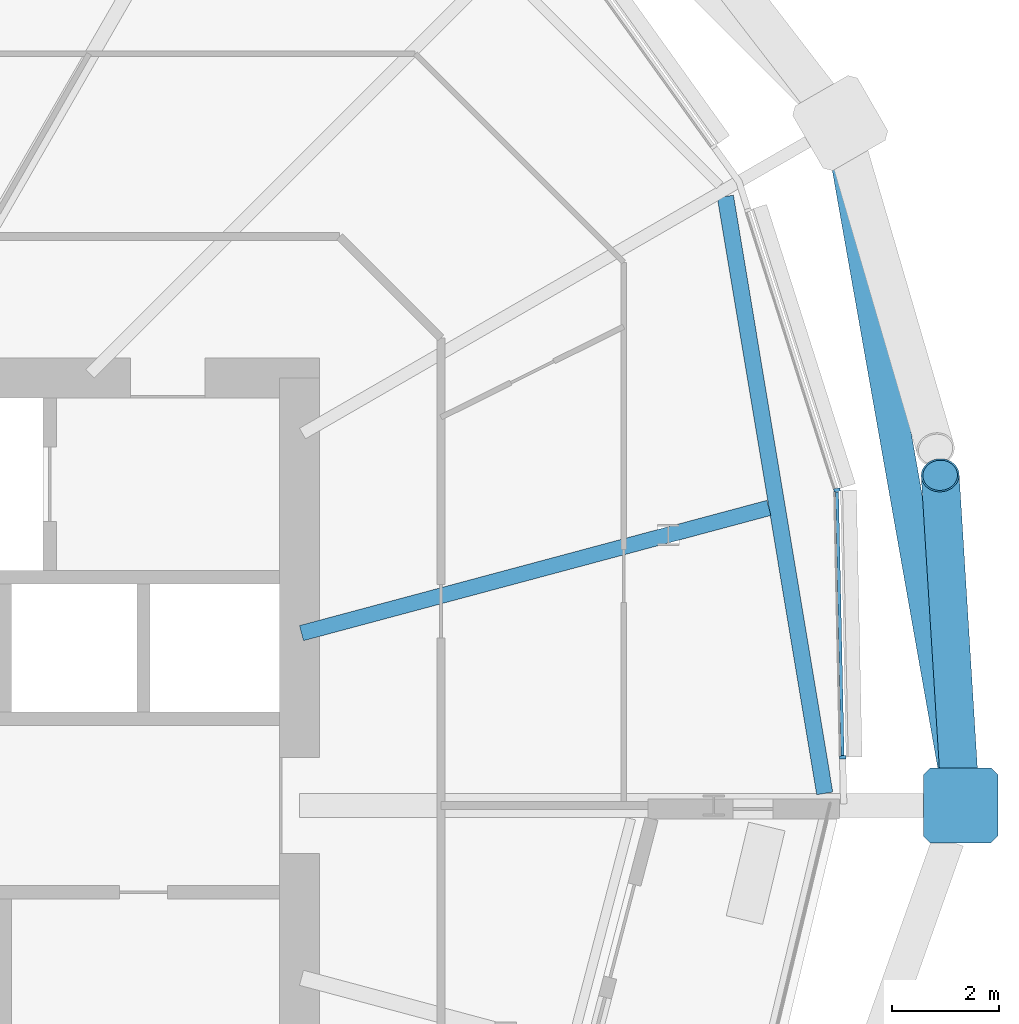
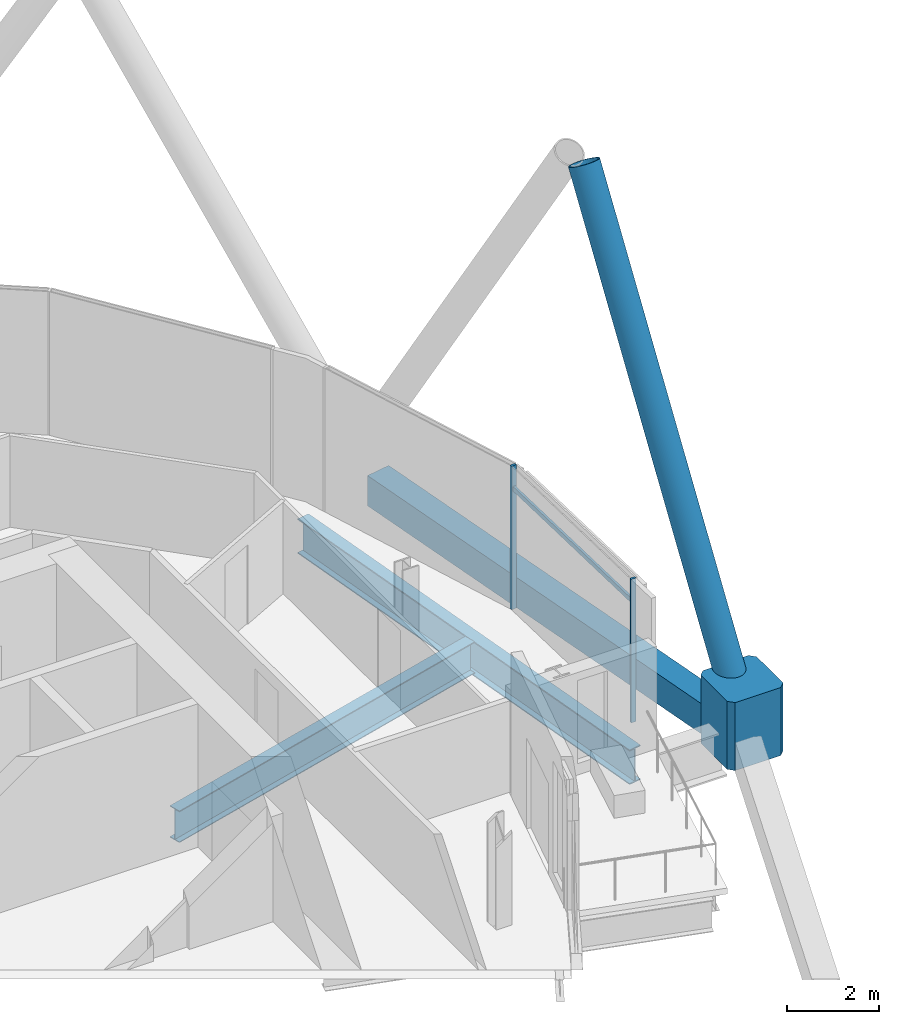
# One storey, part 17 of 38: 5 members, 3 beams, 1 element without a shape of its own.
"""IFC4 building model written with IfcOpenShell, lengths in metres."""

from ifc_helpers import new_model, si_unit, direction, frame, origin, origin_2d, place, context, subcontext, project, spatial, polyline, rectangle, hollow_rectangle, hollow_circle, i_section, outline, extrude, material, material_profile, profile_set, type_object, element, aggregate, save


model = new_model("IFC4")

# Units and contexts
model_context = context("Model", 3, precision=1e-05, world=origin(), true_north=direction((0.0, 1.0)))
body_context = subcontext(model_context, "Body", "Model", "MODEL_VIEW")
ifc_project = project(units=[si_unit("LENGTHUNIT", "METRE"), si_unit("AREAUNIT", "SQUARE_METRE"), si_unit("VOLUMEUNIT", "CUBIC_METRE"), si_unit("PLANEANGLEUNIT", "RADIAN"), si_unit("MASSUNIT", "GRAM", prefix="KILO")], contexts=[model_context])

# Site, building, storey
site_placement = place(None, origin())
site = spatial("IfcSite", under=ifc_project, at=site_placement, CompositionType="ELEMENT")
building_placement = place(site_placement, origin())
building = spatial("IfcBuilding", under=site, at=building_placement, Name="Rimbun Link Towers", CompositionType="ELEMENT")
storey_placement = place(building_placement, frame((0.0, 0.0, 93.0)))
storey = spatial("IfcBuildingStorey", under=building, at=storey_placement, Name="L22", CompositionType="ELEMENT", Elevation=93.0)

# Curtain wall, members
ifc_material_1 = material(Name="Aluminium 6063-T6 and low-iron glass", Category="aluminium")
curtain_wall_type = type_object("IfcCurtainWallType", Name="CW1-Z2 unitised vision wall (zone 2)", PredefinedType="NOTDEFINED", material=ifc_material_1)
curtain_wall_placement = place(storey_placement, origin())
curtain_wall = element("IfcCurtainWall", 1, at=curtain_wall_placement, inside=storey, type_object=curtain_wall_type, Name="CW1 L22 T2", PredefinedType="NOTDEFINED")
ifc_material_2 = material(Name="Aluminium 6063-T6", Category="aluminium")
ifc_material_profile_1 = material_profile(ifc_material_2, rectangle(XDim=0.1201171875, YDim=0.06005859375, at=origin_2d()), Name="MULLION 60X120")
ifc_profile_set_1 = profile_set([ifc_material_profile_1], Name="Aluminium 6063-T6")
member_type_1 = type_object("IfcMemberType", Name="CW1 mullion 60X120", PredefinedType="MULLION", material=ifc_profile_set_1)
member_1_placement = place(storey_placement, frame((53.81396484375, 5.906005859375, 0.0), z_axis=(0.0, 0.0, 1.0), x_axis=(0.986502827503, 0.16374422533, 0.0)))
member_1 = element("IfcMember", 2, at=member_1_placement, type_object=member_type_1, Name="CW1 mullion", PredefinedType="MULLION", context=body_context, shape_type="SweptSolid", body=[
    extrude(rectangle(XDim=0.1201171875, YDim=0.06005859375, at=origin_2d()), origin(), (0.0, 0.0, 1.0), 3.800048828125),
])
member_2_placement = place(storey_placement, frame((53.919921875, 0.901123046875, 0.0), z_axis=(0.0, 0.0, 1.0), x_axis=(0.999778219026, 0.021059742681, 0.0)))
member_2 = element("IfcMember", 3, at=member_2_placement, type_object=member_type_1, Name="CW1 mullion", PredefinedType="MULLION", context=body_context, shape_type="SweptSolid", body=[
    extrude(rectangle(XDim=0.1201171875, YDim=0.06005859375, at=origin_2d()), origin(), (0.0, 0.0, 1.0), 3.800048828125),
])
ifc_material_3 = material(Name="Aluminium 6063-T6", Category="aluminium")
ifc_material_profile_2 = material_profile(ifc_material_3, rectangle(XDim=0.06005859375, YDim=0.1201171875, at=origin_2d()), Name="TRANSOM 60X120")
ifc_profile_set_2 = profile_set([ifc_material_profile_2], Name="Aluminium 6063-T6")
member_type_2 = type_object("IfcMemberType", Name="CW1 transom 60X120", PredefinedType="USERDEFINED", material=ifc_profile_set_2)
member_3_placement = place(storey_placement, frame((53.8134765625, 5.867431640625, 3.199951171875), z_axis=(0.02106357502, -0.999778138292, 0.0), x_axis=(0.999778138292, 0.02106357502, 0.0)))
member_3 = element("IfcMember", 4, at=member_3_placement, type_object=member_type_2, Name="CW1 transom", ObjectType="TRANSOM", PredefinedType="USERDEFINED", context=body_context, shape_type="SweptSolid", body=[
    extrude(rectangle(XDim=0.06005859375, YDim=0.1201171875, at=origin_2d()), origin(), (0.0, 0.0, 1.0), 4.9375),
])
aggregate(curtain_wall, [member_1, member_2, member_3])

# Members
ifc_material_4 = material(Name="Steel S460NH", Category="steel")
ifc_material_profile_3 = material_profile(ifc_material_4, hollow_circle(Radius=0.355712890625, WallThickness=0.031982421875, at=origin_2d()), Name="Diagrid diagonal CHS 711x32")
ifc_profile_set_3 = profile_set([ifc_material_profile_3], Name="Steel S460NH")
member_type_3 = type_object("IfcMemberType", Name="Diagrid diagonal CHS 711x32", PredefinedType="BRACE", material=ifc_profile_set_3)
member_4_placement = place(storey_placement, frame((56.11376953125, 0.245361328125, 0.435302734375), z_axis=(-0.030486807129, 0.490777024957, 0.870751667449), x_axis=(-0.998076151982, -0.061999958429, 0.0)))
element("IfcMember", 5, at=member_4_placement, inside=storey, type_object=member_type_3, Name="Diagrid diagonal T2 L22-L25 21b", PredefinedType="BRACE", context=body_context, shape_type="SweptSolid", body=[
    extrude(hollow_circle(Radius=0.355712890625, WallThickness=0.031982421875, at=origin_2d()), origin(), (0.0, 0.0, 1.0), 12.09228515625),
])
ifc_material_5 = material(Name="Cast steel G20Mn5+QT, Rp0.2 300 MPa", Category="steel")
ifc_material_profile_4 = material_profile(ifc_material_5, outline(polyline([(0.699951171875, -0.570068359375), (0.699951171875, 0.570068359375), (0.570068359375, 0.699951171875), (-0.570068359375, 0.699951171875), (-0.699951171875, 0.570068359375), (-0.699951171875, -0.570068359375), (-0.570068359375, -0.699951171875), (0.570068359375, -0.699951171875), (0.699951171875, -0.570068359375)])), Name="NODE 1400x1400")
ifc_profile_set_4 = profile_set([ifc_material_profile_4], Name="Cast steel G20Mn5+QT, Rp0.2 300 MPa")
member_type_4 = type_object("IfcMemberType", Name="Diagrid node cast 1400", PredefinedType="USERDEFINED", material=ifc_profile_set_4)
member_5_placement = place(storey_placement, frame((56.12890625, 0.0, -0.89990234375), z_axis=(0.0, 0.0, 1.0), x_axis=(1.0, 0.0, 0.0)))
element("IfcMember", 6, at=member_5_placement, inside=storey, type_object=member_type_4, Name="Diagrid node L22 21", ObjectType="Diagrid node", PredefinedType="USERDEFINED", context=body_context, shape_type="SweptSolid", body=[
    extrude(outline(polyline([(0.699951171875, -0.570068359375), (0.699951171875, 0.570068359375), (0.570068359375, 0.699951171875), (-0.570068359375, 0.699951171875), (-0.699951171875, 0.570068359375), (-0.699951171875, -0.570068359375), (-0.570068359375, -0.699951171875), (0.570068359375, -0.699951171875), (0.699951171875, -0.570068359375)])), origin(), (0.0, 0.0, 1.0), 1.7998046875),
])

# Beams
ifc_material_6 = material(Name="Steel S355J2", Category="steel")
ifc_material_profile_5 = material_profile(ifc_material_6, hollow_rectangle(XDim=0.60009765625, YDim=0.800048828125, WallThickness=0.0400390625, at=origin_2d()), Name="Exoskeleton ring girder BOX 600x800x40")
ifc_profile_set_5 = profile_set([ifc_material_profile_5], Name="Steel S355J2")
beam_type_1 = type_object("IfcBeamType", Name="Exoskeleton ring girder BOX 600x800x40", PredefinedType="BEAM", material=ifc_profile_set_5)
beam_1_placement = place(storey_placement, frame((56.00732421875, 0.689208984375, -0.56005859375), z_axis=(-0.173858756379, 0.984770599089, 0.0), x_axis=(-0.984770599089, -0.173858756379, 0.0)))
element("IfcBeam", 7, at=beam_1_placement, inside=storey, type_object=beam_type_1, Name="Exoskeleton ring girder L22 10", PredefinedType="BEAM", context=body_context, shape_type="SweptSolid", body=[
    extrude(hollow_rectangle(XDim=0.60009765625, YDim=0.800048828125, WallThickness=0.0400390625, at=origin_2d()), origin(), (0.0, 0.0, 1.0), 11.571044921875),
])
ifc_material_7 = material(Name="Steel S355J2", Category="steel")
ifc_material_profile_6 = material_profile(ifc_material_7, i_section(OverallWidth=0.29248046875, OverallDepth=0.8408203125, WebThickness=0.0126953125, FlangeThickness=0.021728515625, at=origin_2d()), Name="UB 838x292x194")
ifc_profile_set_6 = profile_set([ifc_material_profile_6], Name="Steel S355J2")
beam_type_2 = type_object("IfcBeamType", Name="UB 838x292x194", PredefinedType="BEAM", material=ifc_profile_set_6)
beam_2_placement = place(storey_placement, frame((43.788818359375, 3.225830078125, -0.580322265625), z_axis=(0.965927841238, 0.258811525095, 0.0), x_axis=(-0.258811525095, 0.965927841238, 0.0)))
element("IfcBeam", 8, at=beam_2_placement, inside=storey, type_object=beam_type_2, Name="Radial beam T2 L22 22", PredefinedType="BEAM", context=body_context, shape_type="SweptSolid", body=[
    extrude(i_section(OverallWidth=0.29248046875, OverallDepth=0.8408203125, WebThickness=0.0126953125, FlangeThickness=0.021728515625, at=origin_2d()), origin(), (0.0, 0.0, 1.0), 9.05859375),
])
ifc_material_8 = material(Name="Steel S355J2", Category="steel")
ifc_material_profile_7 = material_profile(ifc_material_8, i_section(OverallWidth=0.305419921875, OverallDepth=0.91845703125, WebThickness=0.017333984375, FlangeThickness=0.02783203125, at=origin_2d()), Name="UB 914x305x253")
ifc_profile_set_7 = profile_set([ifc_material_profile_7], Name="Steel S355J2")
beam_type_3 = type_object("IfcBeamType", Name="UB 914x305x253", PredefinedType="BEAM", material=ifc_profile_set_7)
beam_3_placement = place(storey_placement, frame((53.584228515625, 0.22607421875, -0.619140625), z_axis=(-0.164217234844, 0.9864241987, 0.0), x_axis=(-0.9864241987, -0.164217234844, 0.0)))
element("IfcBeam", 9, at=beam_3_placement, inside=storey, type_object=beam_type_3, Name="Edge beam T2 L22 21-23", PredefinedType="BEAM", context=body_context, shape_type="SweptSolid", body=[
    extrude(i_section(OverallWidth=0.305419921875, OverallDepth=0.91845703125, WebThickness=0.017333984375, FlangeThickness=0.02783203125, at=origin_2d()), origin(), (0.0, 0.0, 1.0), 11.3271484375),
])

save(model, "model.ifc")
